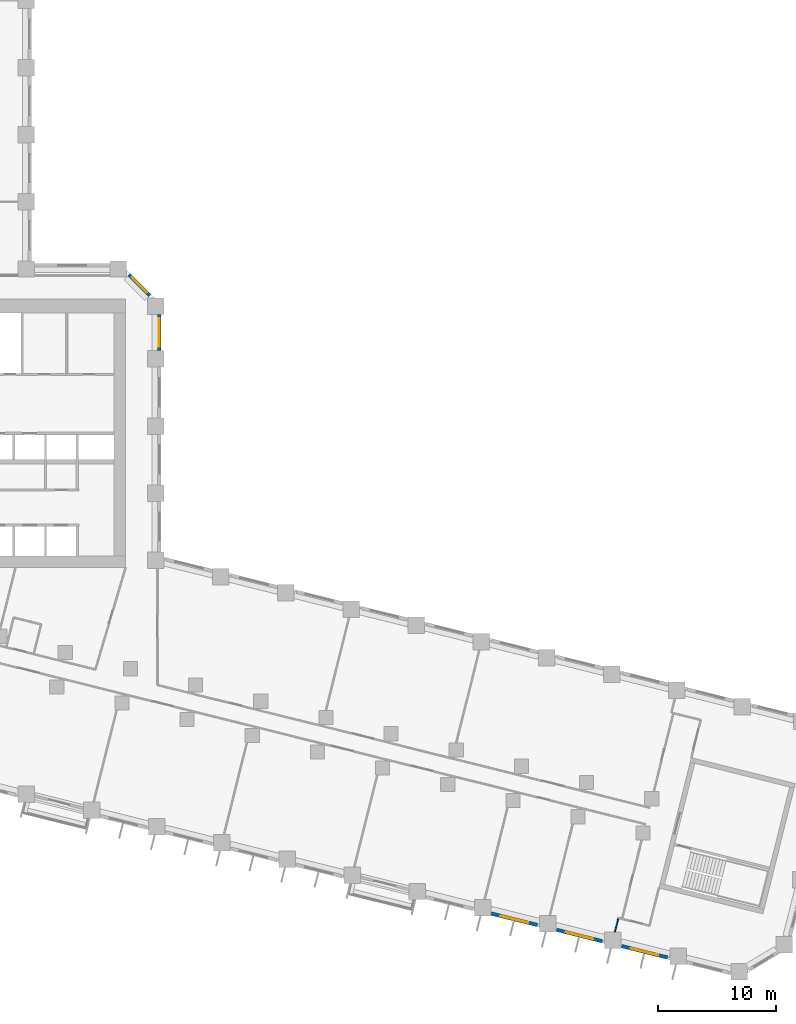
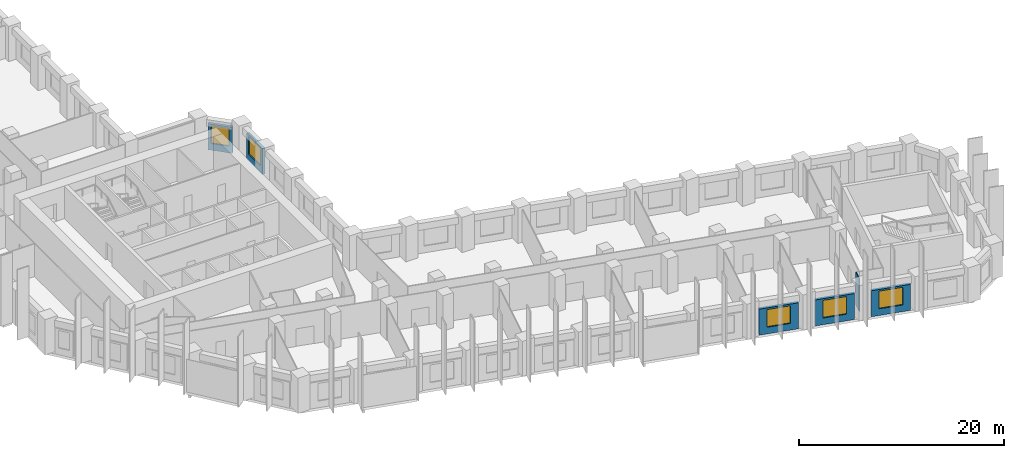
# One storey, part 7 of 12: 6 walls, 5 windows, 5 openings.
"""IFC4 building model written with IfcOpenShell, lengths in metres."""

from ifc_helpers import new_model, si_unit, direction, frame, frame_2d, origin, place, context, subcontext, project, spatial, rectangle, extrude, material, layer, layer_set, type_object, element, fill, save


model = new_model("IFC4")

# Units and contexts
model_context = context("Model", 3, precision=1e-05, world=origin(), true_north=direction((0.0, 1.0)))
body_context = subcontext(model_context, "Body", "Model", "MODEL_VIEW")
ifc_project = project(units=[si_unit("LENGTHUNIT", "METRE"), si_unit("AREAUNIT", "SQUARE_METRE"), si_unit("VOLUMEUNIT", "CUBIC_METRE"), si_unit("PLANEANGLEUNIT", "RADIAN"), si_unit("MASSUNIT", "GRAM", prefix="KILO")], contexts=[model_context])

# Site, building, storey
site_placement = place(None, origin())
site = spatial("IfcSite", under=ifc_project, at=site_placement, CompositionType="ELEMENT")
building_placement = place(site_placement, origin())
building = spatial("IfcBuilding", under=site, at=building_placement, Name="Meshkara Civic Tower", CompositionType="ELEMENT")
storey_placement = place(building_placement, frame((0.0, 0.0, 83.39990234375)))
storey = spatial("IfcBuildingStorey", under=building, at=storey_placement, Name="L18", CompositionType="ELEMENT", Elevation=83.39990234375)

# Wall, opening, window
ifc_material_1 = material(Name="Insulated infill panel with bronze anodised aluminium cladding", Category="aluminium")
ifc_layer_1 = layer(ifc_material_1, 0.300048828125)
ifc_layer_set_1 = layer_set([ifc_layer_1], Name="EXTERNAL INFILL WALL 300")
wall_type_1 = type_object("IfcWallType", Name="EXTERNAL INFILL WALL 300", PredefinedType="SOLIDWALL", material=ifc_layer_set_1)
wall_1_placement = place(storey_placement, frame((33.64990234375, 32.51904296875, 0.0), z_axis=(0.0, 0.0, 1.0), x_axis=(0.0, 1.0, 0.0)))
wall_1 = element("IfcWall", 1, at=wall_1_placement, inside=storey, type_object=wall_type_1, Name="External wall", PredefinedType="SOLIDWALL", context=body_context, shape_type="SweptSolid", body=[
    extrude(rectangle(XDim=3.074951171875, YDim=0.300048828125, at=frame_2d((1.53759765625, 0.0))), origin(), (0.0, 0.0, 1.0), 3.10009765625),
])
opening_1_placement = place(wall_1_placement, frame((0.337890625, 0.0, 0.800048828125)))
opening_1 = element("IfcOpeningElement", 2, at=opening_1_placement, cuts=wall_1, Name="Opening W7", PredefinedType="OPENING", context=body_context, shape_type="SweptSolid", body=[
    extrude(rectangle(XDim=2.39990234375, YDim=2.10009765625, at=frame_2d((1.199951171875, 1.050048828125))), frame((0.0, 0.159912109375, 0.0), z_axis=(0.0, -1.0, 0.0), x_axis=(1.0, 0.0, 0.0)), (0.0, 0.0, 1.0), 0.320068359375),
])
ifc_material_2 = material(Name="Tinted double glazing", Category="glass")
window_type_1 = type_object("IfcWindowType", Name="WINDOW 2400x2100", PartitioningType="DOUBLE_PANEL_VERTICAL", PredefinedType="WINDOW", material=ifc_material_2)
window_1_placement = place(opening_1_placement, origin())
window_1 = element("IfcWindow", 3, at=window_1_placement, inside=storey, type_object=window_type_1, Name="Window", OverallHeight=2.10009765625, OverallWidth=2.39990234375, PartitioningType="DOUBLE_PANEL_VERTICAL", PredefinedType="WINDOW", context=body_context, shape_type="SweptSolid", body=[
    extrude(rectangle(XDim=2.39990234375, YDim=2.10009765625, at=frame_2d((1.199951171875, 1.050048828125))), frame((0.0, 0.030029296875, 0.0), z_axis=(0.0, -1.0, 0.0), x_axis=(1.0, 0.0, 0.0)), (0.0, 0.0, 1.0), 0.06005859375),
])
fill(opening_1, window_1)

wall_2_placement = place(storey_placement, frame((32.862060546875, 37.2060546875, 0.0), z_axis=(0.0, 0.0, 1.0), x_axis=(-0.707155935319, 0.707057623637, 0.0)))
wall_2 = element("IfcWall", 4, at=wall_2_placement, inside=storey, type_object=wall_type_1, Name="External wall", PredefinedType="SOLIDWALL", context=body_context, shape_type="SweptSolid", body=[
    extrude(rectangle(XDim=2.4833984375, YDim=0.300048828125, at=frame_2d((1.24169921875, 0.0))), origin(), (0.0, 0.0, 1.0), 3.10009765625),
])
opening_2_placement = place(wall_2_placement, frame((0.342041015625, 0.0, 0.800048828125)))
opening_2 = element("IfcOpeningElement", 5, at=opening_2_placement, cuts=wall_2, Name="Opening W9", PredefinedType="OPENING", context=body_context, shape_type="SweptSolid", body=[
    extrude(rectangle(XDim=1.800048828125, YDim=2.10009765625, at=frame_2d((0.89990234375, 1.050048828125))), frame((0.0, 0.159912109375, 0.0), z_axis=(0.0, -1.0, 0.0), x_axis=(1.0, 0.0, 0.0)), (0.0, 0.0, 1.0), 0.320068359375),
])
ifc_material_3 = material(Name="Tinted double glazing", Category="glass")
window_type_2 = type_object("IfcWindowType", Name="WINDOW 1800x2100", PartitioningType="DOUBLE_PANEL_VERTICAL", PredefinedType="WINDOW", material=ifc_material_3)
window_2_placement = place(opening_2_placement, origin())
window_2 = element("IfcWindow", 6, at=window_2_placement, inside=storey, type_object=window_type_2, Name="Window", OverallHeight=2.10009765625, OverallWidth=1.800048828125, PartitioningType="DOUBLE_PANEL_VERTICAL", PredefinedType="WINDOW", context=body_context, shape_type="SweptSolid", body=[
    extrude(rectangle(XDim=1.800048828125, YDim=2.10009765625, at=frame_2d((0.89990234375, 1.050048828125))), frame((0.0, 0.030029296875, 0.0), z_axis=(0.0, -1.0, 0.0), x_axis=(1.0, 0.0, 0.0)), (0.0, 0.0, 1.0), 0.06005859375),
])
fill(opening_2, window_2)

wall_3_placement = place(storey_placement, frame((61.847900390625, -15.26611328125, 0.0), z_axis=(0.0, 0.0, 1.0), x_axis=(0.970318089187, -0.241832185196, 0.0)))
wall_3 = element("IfcWall", 7, at=wall_3_placement, inside=storey, type_object=wall_type_1, Name="External wall", PredefinedType="SOLIDWALL", context=body_context, shape_type="SweptSolid", body=[
    extrude(rectangle(XDim=4.001953125, YDim=0.300048828125, at=frame_2d((2.0009765625, 0.0))), origin(), (0.0, 0.0, 1.0), 3.10009765625),
])
opening_3_placement = place(wall_3_placement, frame((0.801025390625, 0.0, 0.800048828125)))
opening_3 = element("IfcOpeningElement", 8, at=opening_3_placement, cuts=wall_3, Name="Opening W7", PredefinedType="OPENING", context=body_context, shape_type="SweptSolid", body=[
    extrude(rectangle(XDim=2.39990234375, YDim=2.10009765625, at=frame_2d((1.199951171875, 1.050048828125))), frame((0.0, 0.159912109375, 0.0), z_axis=(0.0, -1.0, 0.0), x_axis=(1.0, 0.0, 0.0)), (0.0, 0.0, 1.0), 0.320068359375),
])
window_3_placement = place(opening_3_placement, origin())
window_3 = element("IfcWindow", 9, at=window_3_placement, inside=storey, type_object=window_type_1, Name="Window", OverallHeight=2.10009765625, OverallWidth=2.39990234375, PartitioningType="DOUBLE_PANEL_VERTICAL", PredefinedType="WINDOW", context=body_context, shape_type="SweptSolid", body=[
    extrude(rectangle(XDim=2.39990234375, YDim=2.10009765625, at=frame_2d((1.199951171875, 1.050048828125))), frame((0.0, 0.030029296875, 0.0), z_axis=(0.0, -1.0, 0.0), x_axis=(1.0, 0.0, 0.0)), (0.0, 0.0, 1.0), 0.06005859375),
])
fill(opening_3, window_3)

wall_4_placement = place(storey_placement, frame((67.3779296875, -16.64404296875, 0.0), z_axis=(0.0, 0.0, 1.0), x_axis=(0.970260773365, -0.242062040951, 0.0)))
wall_4 = element("IfcWall", 10, at=wall_4_placement, inside=storey, type_object=wall_type_1, Name="External wall", PredefinedType="SOLIDWALL", context=body_context, shape_type="SweptSolid", body=[
    extrude(rectangle(XDim=4.003173828125, YDim=0.300048828125, at=frame_2d((2.00146484375, 0.0))), origin(), (0.0, 0.0, 1.0), 3.10009765625),
])
opening_4_placement = place(wall_4_placement, frame((0.802001953125, 0.0, 0.800048828125)))
opening_4 = element("IfcOpeningElement", 11, at=opening_4_placement, cuts=wall_4, Name="Opening W7", PredefinedType="OPENING", context=body_context, shape_type="SweptSolid", body=[
    extrude(rectangle(XDim=2.39990234375, YDim=2.10009765625, at=frame_2d((1.199951171875, 1.050048828125))), frame((0.0, 0.159912109375, 0.0), z_axis=(0.0, -1.0, 0.0), x_axis=(1.0, 0.0, 0.0)), (0.0, 0.0, 1.0), 0.320068359375),
])
window_4_placement = place(opening_4_placement, origin())
window_4 = element("IfcWindow", 12, at=window_4_placement, inside=storey, type_object=window_type_1, Name="Window", OverallHeight=2.10009765625, OverallWidth=2.39990234375, PartitioningType="DOUBLE_PANEL_VERTICAL", PredefinedType="WINDOW", context=body_context, shape_type="SweptSolid", body=[
    extrude(rectangle(XDim=2.39990234375, YDim=2.10009765625, at=frame_2d((1.199951171875, 1.050048828125))), frame((0.0, 0.030029296875, 0.0), z_axis=(0.0, -1.0, 0.0), x_axis=(1.0, 0.0, 0.0)), (0.0, 0.0, 1.0), 0.06005859375),
])
fill(opening_4, window_4)

wall_5_placement = place(storey_placement, frame((72.908935546875, -18.02294921875, 0.0), z_axis=(0.0, 0.0, 1.0), x_axis=(0.970260773365, -0.242062040951, 0.0)))
wall_5 = element("IfcWall", 13, at=wall_5_placement, inside=storey, type_object=wall_type_1, Name="External wall", PredefinedType="SOLIDWALL", context=body_context, shape_type="SweptSolid", body=[
    extrude(rectangle(XDim=4.003173828125, YDim=0.300048828125, at=frame_2d((2.00146484375, 0.0))), origin(), (0.0, 0.0, 1.0), 3.10009765625),
])
opening_5_placement = place(wall_5_placement, frame((0.802001953125, 0.0, 0.800048828125)))
opening_5 = element("IfcOpeningElement", 14, at=opening_5_placement, cuts=wall_5, Name="Opening W7", PredefinedType="OPENING", context=body_context, shape_type="SweptSolid", body=[
    extrude(rectangle(XDim=2.39990234375, YDim=2.10009765625, at=frame_2d((1.199951171875, 1.050048828125))), frame((0.0, 0.159912109375, 0.0), z_axis=(0.0, -1.0, 0.0), x_axis=(1.0, 0.0, 0.0)), (0.0, 0.0, 1.0), 0.320068359375),
])
window_5_placement = place(opening_5_placement, origin())
window_5 = element("IfcWindow", 15, at=window_5_placement, inside=storey, type_object=window_type_1, Name="Window", OverallHeight=2.10009765625, OverallWidth=2.39990234375, PartitioningType="DOUBLE_PANEL_VERTICAL", PredefinedType="WINDOW", context=body_context, shape_type="SweptSolid", body=[
    extrude(rectangle(XDim=2.39990234375, YDim=2.10009765625, at=frame_2d((1.199951171875, 1.050048828125))), frame((0.0, 0.030029296875, 0.0), z_axis=(0.0, -1.0, 0.0), x_axis=(1.0, 0.0, 0.0)), (0.0, 0.0, 1.0), 0.06005859375),
])
fill(opening_5, window_5)

# Wall
ifc_material_4 = material(Name="Partition 100")
ifc_layer_2 = layer(ifc_material_4, 0.10009765625)
ifc_layer_set_2 = layer_set([ifc_layer_2], Name="Partition 100")
wall_type_2 = type_object("IfcWallType", Name="Partition 100", PredefinedType="PARTITIONING", material=ifc_layer_set_2)
wall_6_placement = place(storey_placement, frame((72.3330078125, -16.826904296875, 0.0), z_axis=(0.0, 0.0, 1.0), x_axis=(0.241693721233, 0.97035258804, 0.0)))
element("IfcWall", 16, at=wall_6_placement, inside=storey, type_object=wall_type_2, Name="L18-W054", PredefinedType="PARTITIONING", context=body_context, shape_type="SweptSolid", body=[
    extrude(rectangle(XDim=1.228271484375, YDim=0.10009765625, at=frame_2d((0.6142578125, 0.0))), origin(), (0.0, 0.0, 1.0), 3.900146484375),
])

save(model, "model.ifc")
